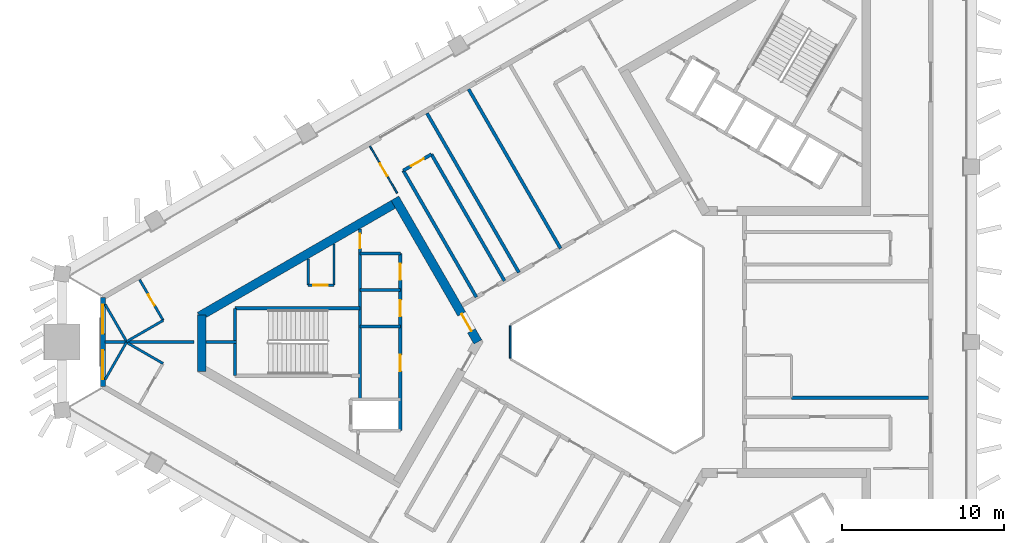
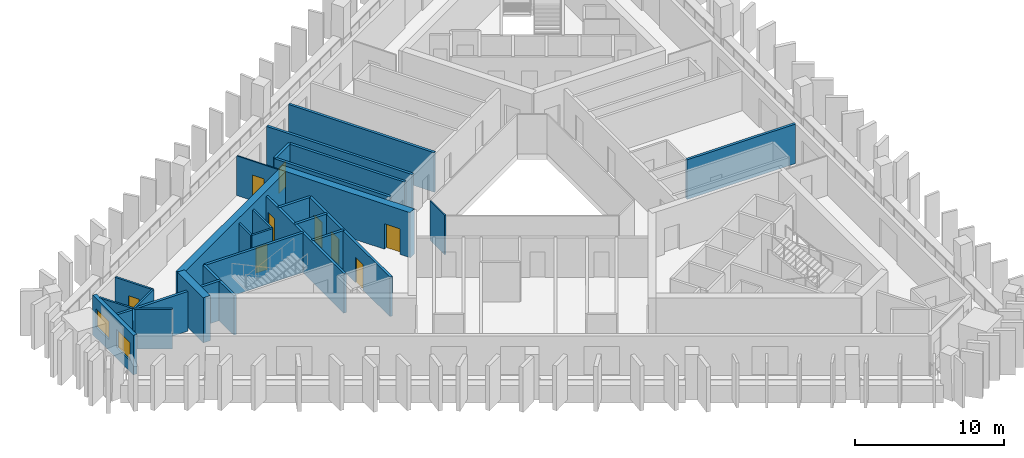
# One storey, part 4 of 10: 29 walls, 9 doors, 2 windows, 11 openings.
"""IFC4 building model written with IfcOpenShell, lengths in metres."""

from ifc_helpers import new_model, si_unit, direction, frame, frame_2d, origin, place, context, subcontext, project, spatial, rectangle, extrude, material, layer, layer_set, type_object, element, fill, save


model = new_model("IFC4")

# Units and contexts
model_context = context("Model", 3, precision=1e-05, world=origin(), true_north=direction((0.0, 1.0)))
body_context = subcontext(model_context, "Body", "Model", "MODEL_VIEW")
ifc_project = project(units=[si_unit("LENGTHUNIT", "METRE"), si_unit("AREAUNIT", "SQUARE_METRE"), si_unit("VOLUMEUNIT", "CUBIC_METRE"), si_unit("PLANEANGLEUNIT", "RADIAN"), si_unit("MASSUNIT", "GRAM", prefix="KILO")], contexts=[model_context])

# Site, building, storey
site_placement = place(None, origin())
site = spatial("IfcSite", under=ifc_project, at=site_placement, CompositionType="ELEMENT")
building_placement = place(site_placement, origin())
building = spatial("IfcBuilding", under=site, at=building_placement, Name="Jabali Bay Hotel Tower and Convention Centre", CompositionType="ELEMENT")
storey_placement = place(building_placement, frame((0.0, 0.0, 174.800048828125)))
storey = spatial("IfcBuildingStorey", under=building, at=storey_placement, Name="L42", CompositionType="ELEMENT", Elevation=174.800048828125)

# Walls
ifc_material_1 = material(Name="Fire-resistant glazing", Category="glass")
ifc_layer_1 = layer(ifc_material_1, 0.10009765625)
ifc_layer_set_1 = layer_set([ifc_layer_1], Name="Fire-resistant glazing")
wall_type_1 = type_object("IfcWallType", Name="Atrium glazed screen 100", PredefinedType="PARTITIONING", material=ifc_layer_set_1)
wall_1_placement = place(storey_placement, frame((67.672119140625, 81.0, 0.0), z_axis=(0.0, 0.0, 1.0), x_axis=(0.0, -1.0, 0.0)))
element("IfcWall", 1, at=wall_1_placement, inside=storey, type_object=wall_type_1, Name="Atrium screen 4 L42", PredefinedType="PARTITIONING", context=body_context, shape_type="SweptSolid", body=[
    extrude(rectangle(XDim=2.0, YDim=0.10009765625, at=frame_2d((1.0, 0.0))), origin(), (0.0, 0.0, 1.0), 3.25),
])
ifc_material_2 = material(Name="Concrete C40", Category="concrete")
ifc_layer_2 = layer(ifc_material_2, 0.199951171875)
ifc_layer_set_2 = layer_set([ifc_layer_2], Name="Concrete C40")
wall_type_2 = type_object("IfcWallType", Name="Core partition wall 200", PredefinedType="PARTITIONING", material=ifc_layer_set_2)
wall_2_placement = place(storey_placement, frame((50.820068359375, 80.0, 0.0), z_axis=(0.0, 0.0, 1.0), x_axis=(-1.0, 0.0, 0.0)))
element("IfcWall", 2, at=wall_2_placement, inside=storey, type_object=wall_type_2, Name="Core wall 0.5 L42", PredefinedType="PARTITIONING", context=body_context, shape_type="SweptSolid", body=[
    extrude(rectangle(XDim=1.873046875, YDim=0.199951171875, at=frame_2d((0.9365234375, 0.0))), origin(), (0.0, 0.0, 1.0), 3.25),
])

# Wall, opening, door
ifc_material_3 = material(Name="Fire-rated board partition")
ifc_layer_3 = layer(ifc_material_3, 0.14990234375)
ifc_layer_set_3 = layer_set([ifc_layer_3], Name="Fire-rated board partition")
wall_type_3 = type_object("IfcWallType", Name="Core room partition 150", PredefinedType="PARTITIONING", material=ifc_layer_set_3)
wall_3_placement = place(storey_placement, frame((56.820068359375, 83.5, 0.0), z_axis=(0.0, 0.0, 1.0), x_axis=(-1.0, 0.0, 0.0)))
wall_3 = element("IfcWall", 3, at=wall_3_placement, inside=storey, type_object=wall_type_3, Name="Core wall 0.1 L42", PredefinedType="PARTITIONING", context=body_context, shape_type="SweptSolid", body=[
    extrude(rectangle(XDim=1.60009765625, YDim=0.14990234375, at=frame_2d((0.800048828125, 0.0))), origin(), (0.0, 0.0, 1.0), 3.25),
])
opening_1_placement = place(wall_3_placement, frame((0.387451171875, 0.0, 0.0)))
opening_1 = element("IfcOpeningElement", 4, at=opening_1_placement, cuts=wall_3, Name="Opening D913", PredefinedType="OPENING", context=body_context, shape_type="SweptSolid", body=[
    extrude(rectangle(XDim=0.89990234375, YDim=2.10009765625, at=frame_2d((0.449951171875, 1.050048828125))), frame((0.0, 0.08544921875, 0.0), z_axis=(0.0, -1.0, 0.0), x_axis=(1.0, 0.0, 0.0)), (0.0, 0.0, 1.0), 0.1708984375),
])
ifc_material_4 = material(Name="Fire-rated steel door", Category="steel")
door_type_1 = type_object("IfcDoorType", Name="Core room door 900 x 2100", OperationType="NOTDEFINED", PredefinedType="NOTDEFINED", material=ifc_material_4)
door_1_placement = place(opening_1_placement, origin())
door_1 = element("IfcDoor", 5, at=door_1_placement, inside=storey, type_object=door_type_1, Name="Core room door D913", OperationType="SINGLE_SWING_LEFT", OverallHeight=2.10009765625, OverallWidth=0.89990234375, PredefinedType="NOTDEFINED", context=body_context, shape_type="SweptSolid", body=[
    extrude(rectangle(XDim=0.89990234375, YDim=2.10009765625, at=frame_2d((0.449951171875, 1.050048828125))), frame((0.0, 0.02490234375, 0.0), z_axis=(0.0, -1.0, 0.0), x_axis=(1.0, 0.0, 0.0)), (0.0, 0.0, 1.0), 0.050048828125),
])
fill(opening_1, door_1)

# Walls
wall_4_placement = place(storey_placement, frame((56.820068359375, 86.050537109375, 0.0), z_axis=(0.0, 0.0, 1.0), x_axis=(0.0, -1.0, 0.0)))
element("IfcWall", 6, at=wall_4_placement, inside=storey, type_object=wall_type_3, Name="Core wall 0.13 L42", PredefinedType="PARTITIONING", context=body_context, shape_type="SweptSolid", body=[
    extrude(rectangle(XDim=2.550537109375, YDim=0.14990234375, at=frame_2d((1.275390625, 0.0))), origin(), (0.0, 0.0, 1.0), 3.25),
])
wall_5_placement = place(storey_placement, frame((55.219970703125, 85.126953125, 0.0), z_axis=(0.0, 0.0, 1.0), x_axis=(0.0, -1.0, 0.0)))
element("IfcWall", 7, at=wall_5_placement, inside=storey, type_object=wall_type_3, Name="Core wall 0.14 L42", PredefinedType="PARTITIONING", context=body_context, shape_type="SweptSolid", body=[
    extrude(rectangle(XDim=1.626953125, YDim=0.14990234375, at=frame_2d((0.8134765625, 0.0))), origin(), (0.0, 0.0, 1.0), 3.25),
])
ifc_layer_4 = layer(ifc_material_2, 0.199951171875)
ifc_layer_set_4 = layer_set([ifc_layer_4], Name="Concrete C40")
wall_type_4 = type_object("IfcWallType", Name="Core stair wall 200", PredefinedType="SOLIDWALL", material=ifc_layer_set_4)
for number, where, z_axis, x_axis, name in (
    (8, (60.89990234375, 85.449951171875, 0.0), (0.0, 0.0, 1.0), (-1.0, 0.0, 0.0), "Core wall 0.0 L42"),
    (9, (60.89990234375, 83.199951171875, 0.0), (0.0, 0.0, 1.0), (-1.0, 0.0, 0.0), "Core wall 0.2 L42"),
):
    element("IfcWall", number, at=place(storey_placement, frame(where, z_axis=z_axis, x_axis=x_axis)), inside=storey, type_object=wall_type_4, Name=name, PredefinedType="SOLIDWALL", context=body_context, shape_type="SweptSolid", body=[
        extrude(rectangle(XDim=2.47998046875, YDim=0.199951171875, at=frame_2d((1.239990234375, 0.0))), origin(), (0.0, 0.0, 1.0), 3.25),
    ])
wall_6_placement = place(storey_placement, frame((58.419921875, 82.074951171875, 0.0), z_axis=(0.0, 0.0, 1.0), x_axis=(-1.0, 0.0, 0.0)))
element("IfcWall", 10, at=wall_6_placement, inside=storey, type_object=wall_type_4, Name="Core wall 0.3 L42", PredefinedType="SOLIDWALL", context=body_context, shape_type="SweptSolid", body=[
    extrude(rectangle(XDim=7.699951171875, YDim=0.199951171875, at=frame_2d((3.85009765625, 0.0))), origin(), (0.0, 0.0, 1.0), 3.25),
])
wall_7_placement = place(storey_placement, frame((60.89990234375, 80.949951171875, 0.0), z_axis=(0.0, 0.0, 1.0), x_axis=(-1.0, 0.0, 0.0)))
element("IfcWall", 11, at=wall_7_placement, inside=storey, type_object=wall_type_4, Name="Core wall 0.4 L42", PredefinedType="SOLIDWALL", context=body_context, shape_type="SweptSolid", body=[
    extrude(rectangle(XDim=2.47998046875, YDim=0.199951171875, at=frame_2d((1.239990234375, 0.0))), origin(), (0.0, 0.0, 1.0), 3.25),
])

# Wall, openings, doors
wall_8_placement = place(storey_placement, frame((60.89990234375, 85.449951171875, 0.0), z_axis=(0.0, 0.0, 1.0), x_axis=(0.0, -1.0, 0.0)))
wall_8 = element("IfcWall", 12, at=wall_8_placement, inside=storey, type_object=wall_type_4, Name="Core wall 0.9 L42", PredefinedType="SOLIDWALL", context=body_context, shape_type="SweptSolid", body=[
    extrude(rectangle(XDim=10.89990234375, YDim=0.199951171875, at=frame_2d((5.449951171875, 0.0))), origin(), (0.0, 0.0, 1.0), 3.25),
])
opening_2_placement = place(wall_8_placement, frame((0.625, 0.0, 0.0)))
opening_2 = element("IfcOpeningElement", 13, at=opening_2_placement, cuts=wall_8, Name="Opening D907", PredefinedType="OPENING", context=body_context, shape_type="SweptSolid", body=[
    extrude(rectangle(XDim=1.0, YDim=2.10009765625, at=frame_2d((0.5, 1.050048828125))), frame((0.0, 0.1103515625, 0.0), z_axis=(0.0, -1.0, 0.0), x_axis=(1.0, 0.0, 0.0)), (0.0, 0.0, 1.0), 0.220947265625),
])
opening_3_placement = place(wall_8_placement, frame((2.875, 0.0, 0.0)))
opening_3 = element("IfcOpeningElement", 14, at=opening_3_placement, cuts=wall_8, Name="Opening D908", PredefinedType="OPENING", context=body_context, shape_type="SweptSolid", body=[
    extrude(rectangle(XDim=1.0, YDim=2.10009765625, at=frame_2d((0.5, 1.050048828125))), frame((0.0, 0.1103515625, 0.0), z_axis=(0.0, -1.0, 0.0), x_axis=(1.0, 0.0, 0.0)), (0.0, 0.0, 1.0), 0.220947265625),
])
opening_4_placement = place(wall_8_placement, frame((6.25, 0.0, 0.0)))
opening_4 = element("IfcOpeningElement", 15, at=opening_4_placement, cuts=wall_8, Name="Opening D909", PredefinedType="OPENING", context=body_context, shape_type="SweptSolid", body=[
    extrude(rectangle(XDim=1.0, YDim=2.10009765625, at=frame_2d((0.5, 1.050048828125))), frame((0.0, 0.1103515625, 0.0), z_axis=(0.0, -1.0, 0.0), x_axis=(1.0, 0.0, 0.0)), (0.0, 0.0, 1.0), 0.220947265625),
])
door_type_2 = type_object("IfcDoorType", Name="Core room door 1000 x 2100", OperationType="NOTDEFINED", PredefinedType="NOTDEFINED", material=ifc_material_4)
door_2_placement = place(opening_2_placement, origin())
door_2 = element("IfcDoor", 16, at=door_2_placement, inside=storey, type_object=door_type_2, Name="Core room door D907", OperationType="SINGLE_SWING_RIGHT", OverallHeight=2.10009765625, OverallWidth=1.0, PredefinedType="NOTDEFINED", context=body_context, shape_type="SweptSolid", body=[
    extrude(rectangle(XDim=1.0, YDim=2.10009765625, at=frame_2d((0.5, 1.050048828125))), frame((0.0, 0.02490234375, 0.0), z_axis=(0.0, -1.0, 0.0), x_axis=(1.0, 0.0, 0.0)), (0.0, 0.0, 1.0), 0.050048828125),
])
fill(opening_2, door_2)
door_3_placement = place(opening_3_placement, origin())
door_3 = element("IfcDoor", 17, at=door_3_placement, inside=storey, type_object=door_type_2, Name="Core room door D908", OperationType="SINGLE_SWING_RIGHT", OverallHeight=2.10009765625, OverallWidth=1.0, PredefinedType="NOTDEFINED", context=body_context, shape_type="SweptSolid", body=[
    extrude(rectangle(XDim=1.0, YDim=2.10009765625, at=frame_2d((0.5, 1.050048828125))), frame((0.0, 0.02490234375, 0.0), z_axis=(0.0, -1.0, 0.0), x_axis=(1.0, 0.0, 0.0)), (0.0, 0.0, 1.0), 0.050048828125),
])
fill(opening_3, door_3)
door_4_placement = place(opening_4_placement, origin())
door_4 = element("IfcDoor", 18, at=door_4_placement, inside=storey, type_object=door_type_2, Name="Core room door D909", OperationType="SINGLE_SWING_RIGHT", OverallHeight=2.10009765625, OverallWidth=1.0, PredefinedType="NOTDEFINED", context=body_context, shape_type="SweptSolid", body=[
    extrude(rectangle(XDim=1.0, YDim=2.10009765625, at=frame_2d((0.5, 1.050048828125))), frame((0.0, 0.02490234375, 0.0), z_axis=(0.0, -1.0, 0.0), x_axis=(1.0, 0.0, 0.0)), (0.0, 0.0, 1.0), 0.050048828125),
])
fill(opening_4, door_4)

# Wall, opening, door
wall_9_placement = place(storey_placement, frame((58.419921875, 86.974365234375, 0.0), z_axis=(0.0, 0.0, 1.0), x_axis=(0.0, -1.0, 0.0)))
wall_9 = element("IfcWall", 19, at=wall_9_placement, inside=storey, type_object=wall_type_4, Name="Core wall 0.10 L42", PredefinedType="SOLIDWALL", context=body_context, shape_type="SweptSolid", body=[
    extrude(rectangle(XDim=10.5244140625, YDim=0.199951171875, at=frame_2d((5.26220703125, 0.0))), origin(), (0.0, 0.0, 1.0), 3.25),
])
opening_5_placement = place(wall_9_placement, frame((0.312255859375, 0.0, 0.0)))
opening_5 = element("IfcOpeningElement", 20, at=opening_5_placement, cuts=wall_9, Name="Opening D911", PredefinedType="OPENING", context=body_context, shape_type="SweptSolid", body=[
    extrude(rectangle(XDim=0.89990234375, YDim=2.10009765625, at=frame_2d((0.449951171875, 1.050048828125))), frame((0.0, 0.1103515625, 0.0), z_axis=(0.0, -1.0, 0.0), x_axis=(1.0, 0.0, 0.0)), (0.0, 0.0, 1.0), 0.220947265625),
])
door_type_3 = type_object("IfcDoorType", Name="Vestibule fire door 900 x 2100", OperationType="NOTDEFINED", PredefinedType="NOTDEFINED", material=ifc_material_4)
door_5_placement = place(opening_5_placement, origin())
door_5 = element("IfcDoor", 21, at=door_5_placement, inside=storey, type_object=door_type_3, Name="Vestibule fire door D911", OperationType="SINGLE_SWING_LEFT", OverallHeight=2.10009765625, OverallWidth=0.89990234375, PredefinedType="NOTDEFINED", context=body_context, shape_type="SweptSolid", body=[
    extrude(rectangle(XDim=0.89990234375, YDim=2.10009765625, at=frame_2d((0.449951171875, 1.050048828125))), frame((0.0, 0.02490234375, 0.0), z_axis=(0.0, -1.0, 0.0), x_axis=(1.0, 0.0, 0.0)), (0.0, 0.0, 1.0), 0.050048828125),
])
fill(opening_5, door_5)

# Wall
wall_10_placement = place(storey_placement, frame((50.719970703125, 82.074951171875, 0.0), z_axis=(0.0, 0.0, 1.0), x_axis=(0.0, -1.0, 0.0)))
element("IfcWall", 22, at=wall_10_placement, inside=storey, type_object=wall_type_4, Name="Core wall 0.15 L42", PredefinedType="SOLIDWALL", context=body_context, shape_type="SweptSolid", body=[
    extrude(rectangle(XDim=4.14990234375, YDim=0.199951171875, at=frame_2d((2.074951171875, 0.0))), origin(), (0.0, 0.0, 1.0), 3.25),
])

# Wall, opening, door
ifc_material_5 = material(Name="Concrete C60", Category="concrete")
ifc_layer_5 = layer(ifc_material_5, 0.550048828125)
ifc_layer_set_5 = layer_set([ifc_layer_5], Name="Concrete C60")
wall_type_5 = type_object("IfcWallType", Name="Core wall 550", PredefinedType="SHEAR", material=ifc_layer_set_5)
wall_11_placement = place(storey_placement, frame((65.682373046875, 80.0, 0.0), z_axis=(0.0, 0.0, 1.0), x_axis=(-0.500000202252, 0.866025287014, 0.0)))
wall_11 = element("IfcWall", 23, at=wall_11_placement, inside=storey, type_object=wall_type_5, Name="Core wall 1.1 L42", PredefinedType="SHEAR", context=body_context, shape_type="SweptSolid", body=[
    extrude(rectangle(XDim=10.22119140625, YDim=0.550048828125, at=frame_2d((5.110595703125, 0.0))), origin(), (0.0, 0.0, 1.0), 3.699951171875),
])
opening_6_placement = place(wall_11_placement, frame((0.791259765625, 0.0, 0.0)))
opening_6 = element("IfcOpeningElement", 24, at=opening_6_placement, cuts=wall_11, Name="Opening D905", PredefinedType="OPENING", context=body_context, shape_type="SweptSolid", body=[
    extrude(rectangle(XDim=1.199951171875, YDim=2.10009765625, at=frame_2d((0.60009765625, 1.050048828125))), frame((0.0, 0.28564453125, 0.0), z_axis=(0.0, -1.0, 0.0), x_axis=(1.0, 0.0, 0.0)), (0.0, 0.0, 1.0), 0.571044921875),
])
door_type_4 = type_object("IfcDoorType", Name="Corridor end fire door 1200 x 2100", OperationType="NOTDEFINED", PredefinedType="NOTDEFINED", material=ifc_material_4)
door_6_placement = place(opening_6_placement, origin())
door_6 = element("IfcDoor", 25, at=door_6_placement, inside=storey, type_object=door_type_4, Name="Corridor end fire door D905", OperationType="SINGLE_SWING_RIGHT", OverallHeight=2.10009765625, OverallWidth=1.199951171875, PredefinedType="NOTDEFINED", context=body_context, shape_type="SweptSolid", body=[
    extrude(rectangle(XDim=1.199951171875, YDim=2.10009765625, at=frame_2d((0.60009765625, 1.050048828125))), frame((0.0, 0.02490234375, 0.0), z_axis=(0.0, -1.0, 0.0), x_axis=(1.0, 0.0, 0.0)), (0.0, 0.0, 1.0), 0.050048828125),
])
fill(opening_6, door_6)

# Walls
wall_12_placement = place(storey_placement, frame((60.709228515625, 88.61376953125, 0.0), z_axis=(0.0, 0.0, 1.0), x_axis=(-0.866020164116, -0.500009075263, 0.0)))
element("IfcWall", 26, at=wall_12_placement, inside=storey, type_object=wall_type_5, Name="Core wall 1.2 L42", PredefinedType="SHEAR", context=body_context, shape_type="SweptSolid", body=[
    extrude(rectangle(XDim=14.058349609375, YDim=0.550048828125, at=frame_2d((7.029296875, 0.0))), origin(), (0.0, 0.0, 1.0), 3.699951171875),
])
wall_13_placement = place(storey_placement, frame((48.671875, 81.663818359375, 0.0), z_axis=(0.0, 0.0, 1.0), x_axis=(0.0, -1.0, 0.0)))
element("IfcWall", 27, at=wall_13_placement, inside=storey, type_object=wall_type_5, Name="Core wall 1.3 L42", PredefinedType="SHEAR", context=body_context, shape_type="SweptSolid", body=[
    extrude(rectangle(XDim=3.486572265625, YDim=0.550048828125, at=frame_2d((1.7431640625, 0.0))), origin(), (0.0, 0.0, 1.0), 3.699951171875),
])

# Wall, openings, windows
ifc_layer_6 = layer(ifc_material_2, 0.300048828125)
ifc_layer_set_6 = layer_set([ifc_layer_6], Name="Concrete C40")
wall_type_6 = type_object("IfcWallType", Name="External wall 300", PredefinedType="SOLIDWALL", material=ifc_layer_set_6)
wall_14_placement = place(storey_placement, frame((42.580078125, 77.267333984375, 0.0), z_axis=(0.0, 0.0, 1.0), x_axis=(0.0, 1.0, 0.0)))
wall_14 = element("IfcWall", 28, at=wall_14_placement, inside=storey, type_object=wall_type_6, Name="External wall west chamfer L42", PredefinedType="SOLIDWALL", context=body_context, shape_type="SweptSolid", body=[
    extrude(rectangle(XDim=5.46533203125, YDim=0.300048828125, at=frame_2d((2.732666015625, 0.0))), origin(), (0.0, 0.0, 1.0), 3.25),
])
opening_7_placement = place(wall_14_placement, frame((3.239013671875, 0.0, 0.89990234375)))
opening_7 = element("IfcOpeningElement", 29, at=opening_7_placement, cuts=wall_14, Name="Opening W1", PredefinedType="OPENING", context=body_context, shape_type="SweptSolid", body=[
    extrude(rectangle(XDim=1.800048828125, YDim=1.5, at=frame_2d((0.89990234375, 0.75))), frame((0.0, 0.16064453125, 0.0), z_axis=(0.0, -1.0, 0.0), x_axis=(1.0, 0.0, 0.0)), (0.0, 0.0, 1.0), 0.321044921875),
])
opening_8_placement = place(wall_14_placement, frame((0.43212890625, 0.0, 0.89990234375)))
opening_8 = element("IfcOpeningElement", 30, at=opening_8_placement, cuts=wall_14, Name="Opening W1", PredefinedType="OPENING", context=body_context, shape_type="SweptSolid", body=[
    extrude(rectangle(XDim=1.800048828125, YDim=1.5, at=frame_2d((0.89990234375, 0.75))), frame((0.0, 0.16064453125, 0.0), z_axis=(0.0, -1.0, 0.0), x_axis=(1.0, 0.0, 0.0)), (0.0, 0.0, 1.0), 0.321044921875),
])
ifc_material_6 = material(Name="Glass", Category="glass")
window_type = type_object("IfcWindowType", Name="Window 1800 x 1500", PartitioningType="SINGLE_PANEL", PredefinedType="WINDOW", material=ifc_material_6)
window_1_placement = place(opening_7_placement, origin())
window_1 = element("IfcWindow", 31, at=window_1_placement, inside=storey, type_object=window_type, Name="Window 4210", OverallHeight=1.5, OverallWidth=1.800048828125, PartitioningType="SINGLE_PANEL", PredefinedType="WINDOW", context=body_context, shape_type="SweptSolid", body=[
    extrude(rectangle(XDim=1.800048828125, YDim=1.5, at=frame_2d((0.89990234375, 0.75))), frame((0.0, 0.030029296875, 0.0), z_axis=(0.0, -1.0, 0.0), x_axis=(1.0, 0.0, 0.0)), (0.0, 0.0, 1.0), 0.06005859375),
])
fill(opening_7, window_1)
window_2_placement = place(opening_8_placement, origin())
window_2 = element("IfcWindow", 32, at=window_2_placement, inside=storey, type_object=window_type, Name="Window 4212", OverallHeight=1.5, OverallWidth=1.800048828125, PartitioningType="SINGLE_PANEL", PredefinedType="WINDOW", context=body_context, shape_type="SweptSolid", body=[
    extrude(rectangle(XDim=1.800048828125, YDim=1.5, at=frame_2d((0.89990234375, 0.75))), frame((0.0, 0.030029296875, 0.0), z_axis=(0.0, -1.0, 0.0), x_axis=(1.0, 0.0, 0.0)), (0.0, 0.0, 1.0), 0.06005859375),
])
fill(opening_8, window_2)

# Wall, opening, door
ifc_material_7 = material(Name="Plasterboard on steel stud", Category="steel")
ifc_layer_7 = layer(ifc_material_7, 0.10009765625)
ifc_layer_set_7 = layer_set([ifc_layer_7], Name="Plasterboard on steel stud")
wall_type_7 = type_object("IfcWallType", Name="Partition 100 unit", PredefinedType="PARTITIONING", material=ifc_layer_set_7)
wall_15_placement = place(storey_placement, frame((59.0361328125, 92.061767578125, 0.0), z_axis=(0.0, 0.0, 1.0), x_axis=(0.499981198768, -0.866036258409, 0.0)))
wall_15 = element("IfcWall", 33, at=wall_15_placement, inside=storey, type_object=wall_type_7, Name="Partition P02 L42 032", PredefinedType="PARTITIONING", context=body_context, shape_type="SweptSolid", body=[
    extrude(rectangle(XDim=3.348876953125, YDim=0.10009765625, at=frame_2d((1.67431640625, 0.0))), origin(), (0.0, 0.0, 1.0), 3.25),
])
opening_9_placement = place(wall_15_placement, frame((1.22412109375, 0.0, 0.0)))
opening_9 = element("IfcOpeningElement", 34, at=opening_9_placement, cuts=wall_15, Name="Opening 4218", PredefinedType="OPENING", context=body_context, shape_type="SweptSolid", body=[
    extrude(rectangle(XDim=0.89990234375, YDim=2.10009765625, at=frame_2d((0.449951171875, 1.050048828125))), frame((0.0, 0.060546875, 0.0), z_axis=(0.0, -1.0, 0.0), x_axis=(1.0, 0.0, 0.0)), (0.0, 0.0, 1.0), 0.12109375),
])
ifc_material_8 = material(Name="Timber", Category="wood")
door_type_5 = type_object("IfcDoorType", Name="Internal door 900 x 2100", OperationType="NOTDEFINED", PredefinedType="NOTDEFINED", material=ifc_material_8)
door_7_placement = place(opening_9_placement, origin())
door_7 = element("IfcDoor", 35, at=door_7_placement, inside=storey, type_object=door_type_5, Name="Door 4218", OperationType="SINGLE_SWING_LEFT", OverallHeight=2.10009765625, OverallWidth=0.89990234375, PredefinedType="NOTDEFINED", context=body_context, shape_type="SweptSolid", body=[
    extrude(rectangle(XDim=0.89990234375, YDim=2.10009765625, at=frame_2d((0.449951171875, 1.050048828125))), frame((0.0, 0.02490234375, 0.0), z_axis=(0.0, -1.0, 0.0), x_axis=(1.0, 0.0, 0.0)), (0.0, 0.0, 1.0), 0.050048828125),
])
fill(opening_9, door_7)

ifc_layer_8 = layer(ifc_material_7, 0.14990234375)
ifc_layer_set_8 = layer_set([ifc_layer_8], Name="Plasterboard on steel stud")
wall_type_8 = type_object("IfcWallType", Name="Partition 150 wet", PredefinedType="PARTITIONING", material=ifc_layer_set_8)
wall_16_placement = place(storey_placement, frame((44.846435546875, 83.839111328125, 0.0), z_axis=(0.0, 0.0, 1.0), x_axis=(0.499987231761, -0.866032775405, 0.0)))
wall_16 = element("IfcWall", 36, at=wall_16_placement, inside=storey, type_object=wall_type_8, Name="Partition P03 L42 036", PredefinedType="PARTITIONING", context=body_context, shape_type="SweptSolid", body=[
    extrude(rectangle(XDim=2.89990234375, YDim=0.14990234375, at=frame_2d((1.449951171875, 0.0))), origin(), (0.0, 0.0, 1.0), 3.25),
])
opening_10_placement = place(wall_16_placement, frame((1.050048828125, 0.0, 0.0)))
opening_10 = element("IfcOpeningElement", 37, at=opening_10_placement, cuts=wall_16, Name="Opening 4219", PredefinedType="OPENING", context=body_context, shape_type="SweptSolid", body=[
    extrude(rectangle(XDim=0.800048828125, YDim=2.10009765625, at=frame_2d((0.39990234375, 1.050048828125))), frame((0.0, 0.08544921875, 0.0), z_axis=(0.0, -1.0, 0.0), x_axis=(1.0, 0.0, 0.0)), (0.0, 0.0, 1.0), 0.1708984375),
])
door_type_6 = type_object("IfcDoorType", Name="En-suite door 800 x 2100", OperationType="NOTDEFINED", PredefinedType="NOTDEFINED", material=ifc_material_8)
door_8_placement = place(opening_10_placement, origin())
door_8 = element("IfcDoor", 38, at=door_8_placement, inside=storey, type_object=door_type_6, Name="Door 4219", OperationType="SINGLE_SWING_RIGHT", OverallHeight=2.10009765625, OverallWidth=0.800048828125, PredefinedType="NOTDEFINED", context=body_context, shape_type="SweptSolid", body=[
    extrude(rectangle(XDim=0.800048828125, YDim=2.10009765625, at=frame_2d((0.39990234375, 1.050048828125))), frame((0.0, 0.02490234375, 0.0), z_axis=(0.0, -1.0, 0.0), x_axis=(1.0, 0.0, 0.0)), (0.0, 0.0, 1.0), 0.050048828125),
])
fill(opening_10, door_8)

# Walls
wall_17_placement = place(storey_placement, frame((46.29638671875, 81.32763671875, 0.0), z_axis=(0.0, 0.0, 1.0), x_axis=(-0.866021400173, -0.500006934395, 0.0)))
element("IfcWall", 39, at=wall_17_placement, inside=storey, type_object=wall_type_8, Name="Partition P03 L42 037", PredefinedType="PARTITIONING", context=body_context, shape_type="SweptSolid", body=[
    extrude(rectangle(XDim=2.60009765625, YDim=0.14990234375, at=frame_2d((1.300048828125, 0.0))), origin(), (0.0, 0.0, 1.0), 3.25),
])
wall_18_placement = place(storey_placement, frame((44.044677734375, 80.027587890625, 0.0), z_axis=(0.0, 0.0, 1.0), x_axis=(-0.499960702874, 0.866048090802, 0.0)))
element("IfcWall", 40, at=wall_18_placement, inside=storey, type_object=wall_type_8, Name="Partition P03 L42 038", PredefinedType="PARTITIONING", context=body_context, shape_type="SweptSolid", body=[
    extrude(rectangle(XDim=2.631591796875, YDim=0.14990234375, at=frame_2d((1.31591796875, 0.0))), origin(), (0.0, 0.0, 1.0), 3.25),
])
wall_19_placement = place(storey_placement, frame((42.72900390625, 77.700439453125, 0.0), z_axis=(0.0, 0.0, 1.0), x_axis=(0.497120014637, 0.867681791354, 0.0)))
element("IfcWall", 41, at=wall_19_placement, inside=storey, type_object=wall_type_8, Name="Partition P03 L42 046", PredefinedType="PARTITIONING", context=body_context, shape_type="SweptSolid", body=[
    extrude(rectangle(XDim=2.62548828125, YDim=0.14990234375, at=frame_2d((1.312744140625, 0.0))), origin(), (0.0, 0.0, 1.0), 3.25),
])
wall_20_placement = place(storey_placement, frame((44.0341796875, 79.978515625, 0.0), z_axis=(0.0, 0.0, 1.0), x_axis=(0.866021400173, -0.500006934395, 0.0)))
element("IfcWall", 42, at=wall_20_placement, inside=storey, type_object=wall_type_8, Name="Partition P03 L42 047", PredefinedType="PARTITIONING", context=body_context, shape_type="SweptSolid", body=[
    extrude(rectangle(XDim=2.60009765625, YDim=0.14990234375, at=frame_2d((1.300048828125, 0.0))), origin(), (0.0, 0.0, 1.0), 3.25),
])
ifc_layer_9 = layer(ifc_material_7, 0.199951171875)
ifc_layer_set_9 = layer_set([ifc_layer_9], Name="Plasterboard on steel stud")
wall_type_9 = type_object("IfcWallType", Name="Partition 200 party", PredefinedType="PARTITIONING", material=ifc_layer_set_9)
wall_21_placement = place(storey_placement, frame((93.427734375, 76.570556640625, 0.0), z_axis=(0.0, 0.0, 1.0), x_axis=(-1.0, 0.0, 0.0)))
element("IfcWall", 43, at=wall_21_placement, inside=storey, type_object=wall_type_9, Name="Partition P01 L42 005", PredefinedType="PARTITIONING", context=body_context, shape_type="SweptSolid", body=[
    extrude(rectangle(XDim=8.427734375, YDim=0.199951171875, at=frame_2d((4.2138671875, 0.0))), origin(), (0.0, 0.0, 1.0), 3.25),
])
for number, where, z_axis, x_axis, name in (
    (44, (65.111083984375, 95.569091796875, 0.0), (0.0, 0.0, 1.0), (0.499998569178, -0.866026229868, 0.0), "Partition P01 L42 030"),
    (45, (62.546142578125, 94.088134765625, 0.0), (0.0, 0.0, 1.0), (0.499998569178, -0.866026229868, 0.0), "Partition P01 L42 031"),
):
    element("IfcWall", number, at=place(storey_placement, frame(where, z_axis=z_axis, x_axis=x_axis)), inside=storey, type_object=wall_type_9, Name=name, PredefinedType="PARTITIONING", context=body_context, shape_type="SweptSolid", body=[
        extrude(rectangle(XDim=11.32763671875, YDim=0.199951171875, at=frame_2d((5.663818359375, 0.0))), origin(), (0.0, 0.0, 1.0), 3.25),
    ])
wall_22_placement = place(storey_placement, frame((65.5888671875, 82.764892578125, 0.0), z_axis=(0.0, 0.0, 1.0), x_axis=(-0.5000018851, 0.866024315419, 0.0)))
element("IfcWall", 46, at=wall_22_placement, inside=storey, type_object=wall_type_9, Name="Partition P01 L42 033", PredefinedType="PARTITIONING", context=body_context, shape_type="SweptSolid", body=[
    extrude(rectangle(XDim=9.0, YDim=0.199951171875, at=frame_2d((4.5, 0.0))), origin(), (0.0, 0.0, 1.0), 3.25),
])

# Wall, opening, door
wall_23_placement = place(storey_placement, frame((61.0888671875, 90.55908203125, 0.0), z_axis=(0.0, 0.0, 1.0), x_axis=(0.866041268327, 0.499972520799, 0.0)))
wall_23 = element("IfcWall", 47, at=wall_23_placement, inside=storey, type_object=wall_type_9, Name="Partition P01 L42 034", PredefinedType="PARTITIONING", context=body_context, shape_type="SweptSolid", body=[
    extrude(rectangle(XDim=2.0, YDim=0.199951171875, at=frame_2d((1.0, 0.0))), origin(), (0.0, 0.0, 1.0), 3.25),
])
opening_11_placement = place(wall_23_placement, frame((0.550048828125, 0.0, 0.0)))
opening_11 = element("IfcOpeningElement", 48, at=opening_11_placement, cuts=wall_23, Name="Opening 4220", PredefinedType="OPENING", context=body_context, shape_type="SweptSolid", body=[
    extrude(rectangle(XDim=0.89990234375, YDim=2.10009765625, at=frame_2d((0.449951171875, 1.050048828125))), frame((0.0, 0.1103515625, 0.0), z_axis=(0.0, -1.0, 0.0), x_axis=(1.0, 0.0, 0.0)), (0.0, 0.0, 1.0), 0.220947265625),
])
door_9_placement = place(opening_11_placement, origin())
door_9 = element("IfcDoor", 49, at=door_9_placement, inside=storey, type_object=door_type_5, Name="Door 4220", OperationType="SINGLE_SWING_RIGHT", OverallHeight=2.10009765625, OverallWidth=0.89990234375, PredefinedType="NOTDEFINED", context=body_context, shape_type="SweptSolid", body=[
    extrude(rectangle(XDim=0.89990234375, YDim=2.10009765625, at=frame_2d((0.449951171875, 1.050048828125))), frame((0.0, 0.02490234375, 0.0), z_axis=(0.0, -1.0, 0.0), x_axis=(1.0, 0.0, 0.0)), (0.0, 0.0, 1.0), 0.050048828125),
])
fill(opening_11, door_9)

# Walls
wall_24_placement = place(storey_placement, frame((62.821044921875, 91.55908203125, 0.0), z_axis=(0.0, 0.0, 1.0), x_axis=(0.5000018851, -0.866024315419, 0.0)))
element("IfcWall", 50, at=wall_24_placement, inside=storey, type_object=wall_type_9, Name="Partition P01 L42 035", PredefinedType="PARTITIONING", context=body_context, shape_type="SweptSolid", body=[
    extrude(rectangle(XDim=9.0, YDim=0.199951171875, at=frame_2d((4.5, 0.0))), origin(), (0.0, 0.0, 1.0), 3.25),
])
wall_25_placement = place(storey_placement, frame((42.72900390625, 80.0, 0.0), z_axis=(0.0, 0.0, 1.0), x_axis=(1.0, 0.0, 0.0)))
element("IfcWall", 51, at=wall_25_placement, inside=storey, type_object=wall_type_9, Name="Partition P01 L42 039", PredefinedType="PARTITIONING", context=body_context, shape_type="SweptSolid", body=[
    extrude(rectangle(XDim=5.468994140625, YDim=0.199951171875, at=frame_2d((2.734375, 0.0))), origin(), (0.0, 0.0, 1.0), 3.25),
])

save(model, "model.ifc")
